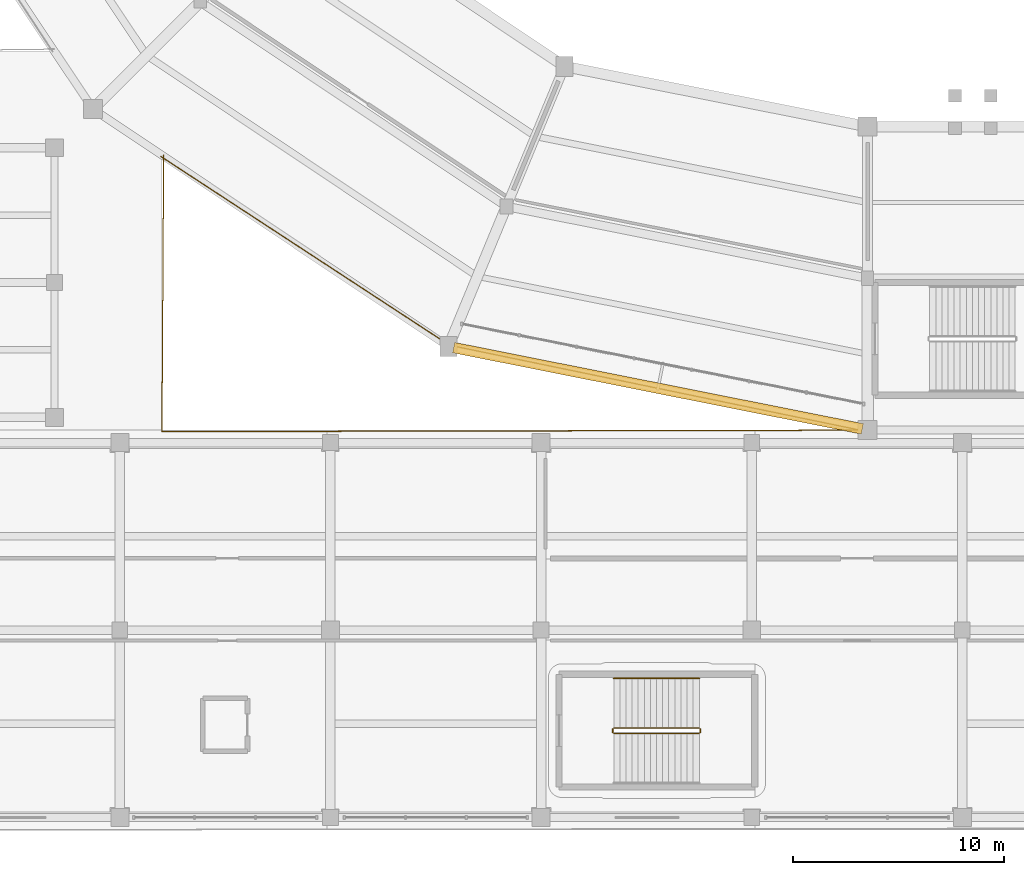
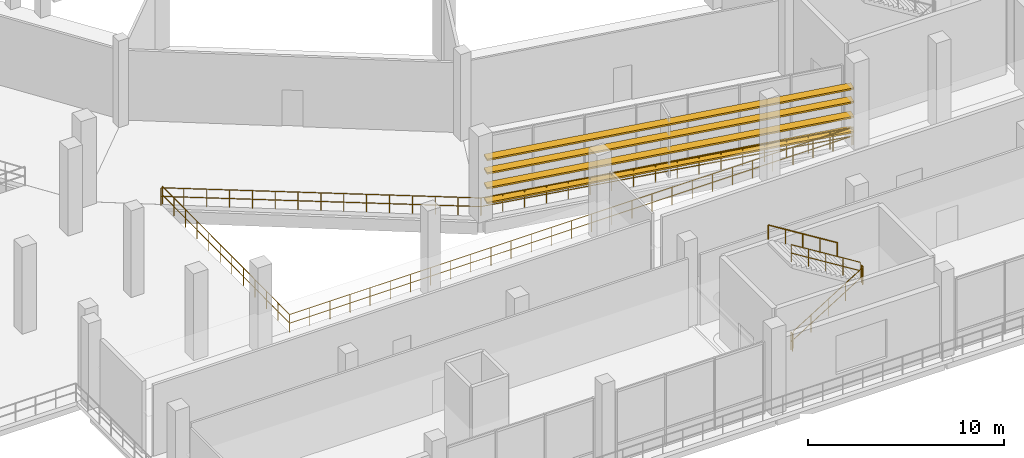
# One storey, part 92 of 114: 9 railings, 4 shading devices.
"""IFC4 building model written with IfcOpenShell, lengths in metres."""

from ifc_helpers import new_model, si_unit, direction, frame, origin, origin_2d, place, context, subcontext, project, spatial, rectangle, circle, extrude, material, layer, layer_set, type_object, element, save


model = new_model("IFC4")

# Units and contexts
model_context = context("Model", 3, precision=1e-05, world=origin(), true_north=direction((0.0, 1.0)))
body_context = subcontext(model_context, "Body", "Model", "MODEL_VIEW")
ifc_project = project(units=[si_unit("LENGTHUNIT", "METRE"), si_unit("AREAUNIT", "SQUARE_METRE"), si_unit("VOLUMEUNIT", "CUBIC_METRE"), si_unit("PLANEANGLEUNIT", "RADIAN"), si_unit("MASSUNIT", "GRAM", prefix="KILO")], contexts=[model_context])

# Site, building, storey
site_placement = place(None, origin())
site = spatial("IfcSite", under=ifc_project, at=site_placement, CompositionType="ELEMENT")
building_placement = place(site_placement, origin())
building = spatial("IfcBuilding", under=site, at=building_placement, Name="Candeia Ridge Stadium", CompositionType="ELEMENT")
storey_placement = place(building_placement, frame((0.0, 0.0, 5.39990234375)))
storey = spatial("IfcBuildingStorey", under=building, at=storey_placement, Name="L01", CompositionType="ELEMENT", Elevation=5.39990234375)

# Railings
ifc_material_1 = material(Name="Galvanized Powder-Coated Steel", Category="steel")
ifc_layer_1 = layer(ifc_material_1, 0.074951171875, Name="Galvanized Powder-Coated Steel", Category="steel")
ifc_layer_set_1 = layer_set([ifc_layer_1], Name="Galvanized Powder-Coated Steel")
railing_type_1 = type_object("IfcRailingType", Name="Spectator Bowl Front Guardrail 1120", PredefinedType="GUARDRAIL", material=ifc_layer_set_1)
railing_1_placement = place(storey_placement, frame((37.580078125, 32.0458984375, 0.0)))
element("IfcRailing", 1, at=railing_1_placement, inside=storey, type_object=railing_type_1, Name="Deck edge safety guardrail GR-DE-L01-0035", PredefinedType="GUARDRAIL", context=body_context, shape_type="SweptSolid", body=[
    extrude(circle(Radius=0.02392578125, at=origin_2d()), frame((0.0, 0.0, 1.09619140625), z_axis=(-0.006100623024, -0.999981391026, 0.0), x_axis=(0.999981391026, -0.006100623024, 0.0)), (0.0, 0.0, 1.0), 13.126220703125),
    extrude(circle(Radius=0.02392578125, at=origin_2d()), frame((0.0, 0.0, 0.56005859375), z_axis=(-0.006100623024, -0.999981391026, 0.0), x_axis=(0.999981391026, -0.006100623024, 0.0)), (0.0, 0.0, 1.0), 13.126220703125),
    extrude(circle(Radius=0.02099609375, at=origin_2d()), origin(), (0.0, 0.0, 1.0), 1.072021484375),
    extrude(circle(Radius=0.02099609375, at=origin_2d()), frame((-0.00732421875, -1.193359375, 0.0)), (0.0, 0.0, 1.0), 1.072021484375),
    extrude(circle(Radius=0.02099609375, at=origin_2d()), frame((-0.0146484375, -2.386474609375, 0.0)), (0.0, 0.0, 1.0), 1.072021484375),
    extrude(circle(Radius=0.02099609375, at=origin_2d()), frame((-0.021728515625, -3.579833984375, 0.0)), (0.0, 0.0, 1.0), 1.072021484375),
    extrude(circle(Radius=0.02099609375, at=origin_2d()), frame((-0.029052734375, -4.773193359375, 0.0)), (0.0, 0.0, 1.0), 1.072021484375),
    extrude(circle(Radius=0.02099609375, at=origin_2d()), frame((-0.036376953125, -5.96630859375, 0.0)), (0.0, 0.0, 1.0), 1.072021484375),
    extrude(circle(Radius=0.02099609375, at=origin_2d()), frame((-0.043701171875, -7.15966796875, 0.0)), (0.0, 0.0, 1.0), 1.072021484375),
    extrude(circle(Radius=0.02099609375, at=origin_2d()), frame((-0.051025390625, -8.352783203125, 0.0)), (0.0, 0.0, 1.0), 1.072021484375),
    extrude(circle(Radius=0.02099609375, at=origin_2d()), frame((-0.058349609375, -9.546142578125, 0.0)), (0.0, 0.0, 1.0), 1.072021484375),
    extrude(circle(Radius=0.02099609375, at=origin_2d()), frame((-0.0654296875, -10.739501953125, 0.0)), (0.0, 0.0, 1.0), 1.072021484375),
    extrude(circle(Radius=0.02099609375, at=origin_2d()), frame((-0.07275390625, -11.9326171875, 0.0)), (0.0, 0.0, 1.0), 1.072021484375),
    extrude(circle(Radius=0.02099609375, at=origin_2d()), frame((-0.080078125, -13.1259765625, 0.0)), (0.0, 0.0, 1.0), 1.072021484375),
])
railing_2_placement = place(storey_placement, frame((37.5, 18.919921875, 0.0)))
element("IfcRailing", 2, at=railing_2_placement, inside=storey, type_object=railing_type_1, Name="Deck edge safety guardrail GR-DE-L01-0036", PredefinedType="GUARDRAIL", context=body_context, shape_type="SweptSolid", body=[
    extrude(circle(Radius=0.02392578125, at=origin_2d()), frame((0.0, 0.0, 1.09619140625), z_axis=(0.999997640457, 0.002172344388, 0.0), x_axis=(-0.002172344388, 0.999997640457, 0.0)), (0.0, 0.0, 1.0), 33.26611328125),
    extrude(circle(Radius=0.02392578125, at=origin_2d()), frame((0.0, 0.0, 0.56005859375), z_axis=(0.999997640457, 0.002172344388, 0.0), x_axis=(-0.002172344388, 0.999997640457, 0.0)), (0.0, 0.0, 1.0), 33.26611328125),
    extrude(circle(Radius=0.02099609375, at=origin_2d()), origin(), (0.0, 0.0, 1.0), 1.072021484375),
    extrude(circle(Radius=0.02099609375, at=origin_2d()), frame((1.18798828125, 0.002685546875, 0.0)), (0.0, 0.0, 1.0), 1.072021484375),
    extrude(circle(Radius=0.02099609375, at=origin_2d()), frame((2.376220703125, 0.005126953125, 0.0)), (0.0, 0.0, 1.0), 1.072021484375),
    extrude(circle(Radius=0.02099609375, at=origin_2d()), frame((3.564208984375, 0.0078125, 0.0)), (0.0, 0.0, 1.0), 1.072021484375),
    extrude(circle(Radius=0.02099609375, at=origin_2d()), frame((4.752197265625, 0.01025390625, 0.0)), (0.0, 0.0, 1.0), 1.072021484375),
    extrude(circle(Radius=0.02099609375, at=origin_2d()), frame((5.9404296875, 0.012939453125, 0.0)), (0.0, 0.0, 1.0), 1.072021484375),
    extrude(circle(Radius=0.02099609375, at=origin_2d()), frame((7.12841796875, 0.015380859375, 0.0)), (0.0, 0.0, 1.0), 1.072021484375),
    extrude(circle(Radius=0.02099609375, at=origin_2d()), frame((8.31640625, 0.01806640625, 0.0)), (0.0, 0.0, 1.0), 1.072021484375),
    extrude(circle(Radius=0.02099609375, at=origin_2d()), frame((9.504638671875, 0.020751953125, 0.0)), (0.0, 0.0, 1.0), 1.072021484375),
    extrude(circle(Radius=0.02099609375, at=origin_2d()), frame((10.692626953125, 0.023193359375, 0.0)), (0.0, 0.0, 1.0), 1.072021484375),
    extrude(circle(Radius=0.02099609375, at=origin_2d()), frame((11.880859375, 0.02587890625, 0.0)), (0.0, 0.0, 1.0), 1.072021484375),
    extrude(circle(Radius=0.02099609375, at=origin_2d()), frame((13.06884765625, 0.0283203125, 0.0)), (0.0, 0.0, 1.0), 1.072021484375),
    extrude(circle(Radius=0.02099609375, at=origin_2d()), frame((14.2568359375, 0.031005859375, 0.0)), (0.0, 0.0, 1.0), 1.072021484375),
    extrude(circle(Radius=0.02099609375, at=origin_2d()), frame((15.445068359375, 0.033447265625, 0.0)), (0.0, 0.0, 1.0), 1.072021484375),
    extrude(circle(Radius=0.02099609375, at=origin_2d()), frame((16.633056640625, 0.0361328125, 0.0)), (0.0, 0.0, 1.0), 1.072021484375),
    extrude(circle(Radius=0.02099609375, at=origin_2d()), frame((17.821044921875, 0.038818359375, 0.0)), (0.0, 0.0, 1.0), 1.072021484375),
    extrude(circle(Radius=0.02099609375, at=origin_2d()), frame((19.00927734375, 0.041259765625, 0.0)), (0.0, 0.0, 1.0), 1.072021484375),
    extrude(circle(Radius=0.02099609375, at=origin_2d()), frame((20.197265625, 0.0439453125, 0.0)), (0.0, 0.0, 1.0), 1.072021484375),
    extrude(circle(Radius=0.02099609375, at=origin_2d()), frame((21.38525390625, 0.04638671875, 0.0)), (0.0, 0.0, 1.0), 1.072021484375),
    extrude(circle(Radius=0.02099609375, at=origin_2d()), frame((22.573486328125, 0.049072265625, 0.0)), (0.0, 0.0, 1.0), 1.072021484375),
    extrude(circle(Radius=0.02099609375, at=origin_2d()), frame((23.761474609375, 0.051513671875, 0.0)), (0.0, 0.0, 1.0), 1.072021484375),
    extrude(circle(Radius=0.02099609375, at=origin_2d()), frame((24.94970703125, 0.05419921875, 0.0)), (0.0, 0.0, 1.0), 1.072021484375),
    extrude(circle(Radius=0.02099609375, at=origin_2d()), frame((26.1376953125, 0.056884765625, 0.0)), (0.0, 0.0, 1.0), 1.072021484375),
    extrude(circle(Radius=0.02099609375, at=origin_2d()), frame((27.32568359375, 0.059326171875, 0.0)), (0.0, 0.0, 1.0), 1.072021484375),
    extrude(circle(Radius=0.02099609375, at=origin_2d()), frame((28.513916015625, 0.06201171875, 0.0)), (0.0, 0.0, 1.0), 1.072021484375),
    extrude(circle(Radius=0.02099609375, at=origin_2d()), frame((29.701904296875, 0.064453125, 0.0)), (0.0, 0.0, 1.0), 1.072021484375),
    extrude(circle(Radius=0.02099609375, at=origin_2d()), frame((30.889892578125, 0.067138671875, 0.0)), (0.0, 0.0, 1.0), 1.072021484375),
    extrude(circle(Radius=0.02099609375, at=origin_2d()), frame((32.078125, 0.069580078125, 0.0)), (0.0, 0.0, 1.0), 1.072021484375),
    extrude(circle(Radius=0.02099609375, at=origin_2d()), frame((33.26611328125, 0.072265625, 0.0)), (0.0, 0.0, 1.0), 1.072021484375),
])
railing_3_placement = place(storey_placement, frame((70.6767578125, 18.982666015625, 0.0)))
element("IfcRailing", 3, at=railing_3_placement, inside=storey, type_object=railing_type_1, Name="Deck edge safety guardrail GR-DE-L01-0037", PredefinedType="GUARDRAIL", context=body_context, shape_type="SweptSolid", body=[
    extrude(circle(Radius=0.02392578125, at=origin_2d()), frame((0.0, 0.0, 1.09619140625), z_axis=(-0.97924861021, 0.202662673924, 0.0), x_axis=(-0.202662673924, -0.97924861021, 0.0)), (0.0, 0.0, 1.0), 19.945556640625),
    extrude(circle(Radius=0.02392578125, at=origin_2d()), frame((0.0, 0.0, 0.56005859375), z_axis=(-0.97924861021, 0.202662673924, 0.0), x_axis=(-0.202662673924, -0.97924861021, 0.0)), (0.0, 0.0, 1.0), 19.945556640625),
    extrude(circle(Radius=0.02099609375, at=origin_2d()), origin(), (0.0, 0.0, 1.0), 1.072021484375),
    extrude(circle(Radius=0.02099609375, at=origin_2d()), frame((-1.14892578125, 0.23779296875, 0.0)), (0.0, 0.0, 1.0), 1.072021484375),
    extrude(circle(Radius=0.02099609375, at=origin_2d()), frame((-2.2978515625, 0.4755859375, 0.0)), (0.0, 0.0, 1.0), 1.072021484375),
    extrude(circle(Radius=0.02099609375, at=origin_2d()), frame((-3.44677734375, 0.71337890625, 0.0)), (0.0, 0.0, 1.0), 1.072021484375),
    extrude(circle(Radius=0.02099609375, at=origin_2d()), frame((-4.595703125, 0.951171875, 0.0)), (0.0, 0.0, 1.0), 1.072021484375),
    extrude(circle(Radius=0.02099609375, at=origin_2d()), frame((-5.74462890625, 1.18896484375, 0.0)), (0.0, 0.0, 1.0), 1.072021484375),
    extrude(circle(Radius=0.02099609375, at=origin_2d()), frame((-6.8935546875, 1.4267578125, 0.0)), (0.0, 0.0, 1.0), 1.072021484375),
    extrude(circle(Radius=0.02099609375, at=origin_2d()), frame((-8.04248046875, 1.66455078125, 0.0)), (0.0, 0.0, 1.0), 1.072021484375),
    extrude(circle(Radius=0.02099609375, at=origin_2d()), frame((-9.19140625, 1.90234375, 0.0)), (0.0, 0.0, 1.0), 1.072021484375),
    extrude(circle(Radius=0.02099609375, at=origin_2d()), frame((-10.34033203125, 2.139892578125, 0.0)), (0.0, 0.0, 1.0), 1.072021484375),
    extrude(circle(Radius=0.02099609375, at=origin_2d()), frame((-11.4892578125, 2.377685546875, 0.0)), (0.0, 0.0, 1.0), 1.072021484375),
    extrude(circle(Radius=0.02099609375, at=origin_2d()), frame((-12.63818359375, 2.615478515625, 0.0)), (0.0, 0.0, 1.0), 1.072021484375),
    extrude(circle(Radius=0.02099609375, at=origin_2d()), frame((-13.787109375, 2.853271484375, 0.0)), (0.0, 0.0, 1.0), 1.072021484375),
    extrude(circle(Radius=0.02099609375, at=origin_2d()), frame((-14.93603515625, 3.091064453125, 0.0)), (0.0, 0.0, 1.0), 1.072021484375),
    extrude(circle(Radius=0.02099609375, at=origin_2d()), frame((-16.0849609375, 3.328857421875, 0.0)), (0.0, 0.0, 1.0), 1.072021484375),
    extrude(circle(Radius=0.02099609375, at=origin_2d()), frame((-17.23388671875, 3.566650390625, 0.0)), (0.0, 0.0, 1.0), 1.072021484375),
    extrude(circle(Radius=0.02099609375, at=origin_2d()), frame((-18.3828125, 3.804443359375, 0.0)), (0.0, 0.0, 1.0), 1.072021484375),
    extrude(circle(Radius=0.02099609375, at=origin_2d()), frame((-19.53173828125, 4.042236328125, 0.0)), (0.0, 0.0, 1.0), 1.072021484375),
])
railing_4_placement = place(storey_placement, frame((51.14501953125, 23.02490234375, 0.0)))
element("IfcRailing", 4, at=railing_4_placement, inside=storey, type_object=railing_type_1, Name="Deck edge safety guardrail GR-DE-L01-0038", PredefinedType="GUARDRAIL", context=body_context, shape_type="SweptSolid", body=[
    extrude(circle(Radius=0.02392578125, at=origin_2d()), frame((0.0, 0.0, 1.09619140625), z_axis=(-0.836870214112, 0.547401356167, 0.0), x_axis=(-0.547401356167, -0.836870214112, 0.0)), (0.0, 0.0, 1.0), 16.35791015625),
    extrude(circle(Radius=0.02392578125, at=origin_2d()), frame((0.0, 0.0, 0.56005859375), z_axis=(-0.836870214112, 0.547401356167, 0.0), x_axis=(-0.547401356167, -0.836870214112, 0.0)), (0.0, 0.0, 1.0), 16.35791015625),
    extrude(circle(Radius=0.02099609375, at=origin_2d()), origin(), (0.0, 0.0, 1.0), 1.072021484375),
    extrude(circle(Radius=0.02099609375, at=origin_2d()), frame((-0.977783203125, 0.6396484375, 0.0)), (0.0, 0.0, 1.0), 1.072021484375),
    extrude(circle(Radius=0.02099609375, at=origin_2d()), frame((-1.95556640625, 1.279296875, 0.0)), (0.0, 0.0, 1.0), 1.072021484375),
    extrude(circle(Radius=0.02099609375, at=origin_2d()), frame((-2.933349609375, 1.918701171875, 0.0)), (0.0, 0.0, 1.0), 1.072021484375),
    extrude(circle(Radius=0.02099609375, at=origin_2d()), frame((-3.911376953125, 2.558349609375, 0.0)), (0.0, 0.0, 1.0), 1.072021484375),
    extrude(circle(Radius=0.02099609375, at=origin_2d()), frame((-4.88916015625, 3.197998046875, 0.0)), (0.0, 0.0, 1.0), 1.072021484375),
    extrude(circle(Radius=0.02099609375, at=origin_2d()), frame((-5.866943359375, 3.837646484375, 0.0)), (0.0, 0.0, 1.0), 1.072021484375),
    extrude(circle(Radius=0.02099609375, at=origin_2d()), frame((-6.8447265625, 4.47705078125, 0.0)), (0.0, 0.0, 1.0), 1.072021484375),
    extrude(circle(Radius=0.02099609375, at=origin_2d()), frame((-7.822509765625, 5.11669921875, 0.0)), (0.0, 0.0, 1.0), 1.072021484375),
    extrude(circle(Radius=0.02099609375, at=origin_2d()), frame((-8.80029296875, 5.75634765625, 0.0)), (0.0, 0.0, 1.0), 1.072021484375),
    extrude(circle(Radius=0.02099609375, at=origin_2d()), frame((-9.778076171875, 6.39599609375, 0.0)), (0.0, 0.0, 1.0), 1.072021484375),
    extrude(circle(Radius=0.02099609375, at=origin_2d()), frame((-10.756103515625, 7.03564453125, 0.0)), (0.0, 0.0, 1.0), 1.072021484375),
    extrude(circle(Radius=0.02099609375, at=origin_2d()), frame((-11.73388671875, 7.675048828125, 0.0)), (0.0, 0.0, 1.0), 1.072021484375),
    extrude(circle(Radius=0.02099609375, at=origin_2d()), frame((-12.711669921875, 8.314697265625, 0.0)), (0.0, 0.0, 1.0), 1.072021484375),
    extrude(circle(Radius=0.02099609375, at=origin_2d()), frame((-13.689453125, 8.954345703125, 0.0)), (0.0, 0.0, 1.0), 1.072021484375),
])
ifc_material_2 = material(Name="Brushed Stainless Steel", Category="steel")
ifc_layer_2 = layer(ifc_material_2, 0.048095703125, Name="Brushed Stainless Steel", Category="steel")
ifc_layer_set_2 = layer_set([ifc_layer_2], Name="Brushed Stainless Steel")
railing_type_2 = type_object("IfcRailingType", Name="Stair Wall & Flight Handrail 900", PredefinedType="HANDRAIL", material=ifc_layer_set_2)
railing_5_placement = place(storey_placement, frame((63.010009765625, 7.199951171875, 2.880126953125)))
element("IfcRailing", 5, at=railing_5_placement, inside=storey, type_object=railing_type_2, Name="L01 ST13 stair handrail 2", PredefinedType="HANDRAIL", context=body_context, shape_type="SweptSolid", body=[
    extrude(circle(Radius=0.02392578125, at=origin_2d()), frame((0.0, 0.0, 0.8759765625), z_axis=(-0.849641744969, 0.0, 0.527360318194), x_axis=(0.0, -1.0, 0.0)), (0.0, 0.0, 1.0), 4.778564453125),
    extrude(circle(Radius=0.02099609375, at=origin_2d()), origin(), (0.0, 0.0, 1.0), 0.851806640625),
    extrude(circle(Radius=0.02099609375, at=origin_2d()), frame((-1.01513671875, 0.0, 0.6298828125)), (0.0, 0.0, 1.0), 0.851806640625),
    extrude(circle(Radius=0.02099609375, at=origin_2d()), frame((-2.030029296875, 0.0, 1.260009765625)), (0.0, 0.0, 1.0), 0.851806640625),
    extrude(circle(Radius=0.02099609375, at=origin_2d()), frame((-3.044921875, 0.0, 1.89013671875)), (0.0, 0.0, 1.0), 0.851806640625),
    extrude(circle(Radius=0.02099609375, at=origin_2d()), frame((-4.06005859375, 0.0, 2.52001953125)), (0.0, 0.0, 1.0), 0.851806640625),
])
ifc_layer_3 = layer(ifc_material_1, 0.06005859375, Name="Galvanized Powder-Coated Steel", Category="steel")
ifc_layer_set_3 = layer_set([ifc_layer_3], Name="Galvanized Powder-Coated Steel")
railing_type_3 = type_object("IfcRailingType", Name="Stair Well Guardrail 1100", PredefinedType="GUARDRAIL", material=ifc_layer_set_3)
railing_6_placement = place(storey_placement, frame((58.949951171875, 4.60009765625, 0.18017578125)))
element("IfcRailing", 6, at=railing_6_placement, inside=storey, type_object=railing_type_3, Name="L01 ST13 stair guard 1", PredefinedType="GUARDRAIL", context=body_context, shape_type="SweptSolid", body=[
    extrude(circle(Radius=0.02392578125, at=origin_2d()), frame((0.0, 0.0, 1.076171875), z_axis=(0.849641744969, 0.0, 0.527360318194), x_axis=(0.0, 1.0, 0.0)), (0.0, 0.0, 1.0), 4.778564453125),
    extrude(circle(Radius=0.02392578125, at=origin_2d()), frame((0.0, 0.0, 0.550048828125), z_axis=(0.849641744969, 0.0, 0.527360318194), x_axis=(0.0, 1.0, 0.0)), (0.0, 0.0, 1.0), 4.778564453125),
    extrude(circle(Radius=0.02099609375, at=origin_2d()), origin(), (0.0, 0.0, 1.0), 1.052001953125),
    extrude(circle(Radius=0.02099609375, at=origin_2d()), frame((1.01513671875, 0.0, 0.6298828125)), (0.0, 0.0, 1.0), 1.052001953125),
    extrude(circle(Radius=0.02099609375, at=origin_2d()), frame((2.030029296875, 0.0, 1.260009765625)), (0.0, 0.0, 1.0), 1.052001953125),
    extrude(circle(Radius=0.02099609375, at=origin_2d()), frame((3.044921875, 0.0, 1.89013671875)), (0.0, 0.0, 1.0), 1.052001953125),
    extrude(circle(Radius=0.02099609375, at=origin_2d()), frame((4.06005859375, 0.0, 2.52001953125)), (0.0, 0.0, 1.0), 1.052001953125),
])
railing_7_placement = place(storey_placement, frame((63.06005859375, 4.64990234375, 2.7001953125)))
element("IfcRailing", 7, at=railing_7_placement, inside=storey, type_object=railing_type_3, Name="L01 ST13 stair guard 2", PredefinedType="GUARDRAIL", context=body_context, shape_type="SweptSolid", body=[
    extrude(circle(Radius=0.02392578125, at=origin_2d()), frame((0.0, 0.0, 1.076171875), z_axis=(0.0, 1.0, 0.0), x_axis=(-1.0, 0.0, 0.0)), (0.0, 0.0, 1.0), 0.150146484375),
    extrude(circle(Radius=0.02392578125, at=origin_2d()), frame((0.0, 0.0, 0.550048828125), z_axis=(0.0, 1.0, 0.0), x_axis=(-1.0, 0.0, 0.0)), (0.0, 0.0, 1.0), 0.150146484375),
    extrude(circle(Radius=0.02099609375, at=origin_2d()), origin(), (0.0, 0.0, 1.0), 1.052001953125),
    extrude(circle(Radius=0.02099609375, at=origin_2d()), frame((0.0, 0.150146484375, 0.0)), (0.0, 0.0, 1.0), 1.052001953125),
])
railing_8_placement = place(storey_placement, frame((63.010009765625, 4.85009765625, 2.880126953125)))
element("IfcRailing", 8, at=railing_8_placement, inside=storey, type_object=railing_type_3, Name="L01 ST13 stair guard 3", PredefinedType="GUARDRAIL", context=body_context, shape_type="SweptSolid", body=[
    extrude(circle(Radius=0.02392578125, at=origin_2d()), frame((0.0, 0.0, 1.076171875), z_axis=(-0.849641744969, 0.0, 0.527360318194), x_axis=(0.0, -1.0, 0.0)), (0.0, 0.0, 1.0), 4.778564453125),
    extrude(circle(Radius=0.02392578125, at=origin_2d()), frame((0.0, 0.0, 0.550048828125), z_axis=(-0.849641744969, 0.0, 0.527360318194), x_axis=(0.0, -1.0, 0.0)), (0.0, 0.0, 1.0), 4.778564453125),
    extrude(circle(Radius=0.02099609375, at=origin_2d()), origin(), (0.0, 0.0, 1.0), 1.052001953125),
    extrude(circle(Radius=0.02099609375, at=origin_2d()), frame((-1.01513671875, 0.0, 0.6298828125)), (0.0, 0.0, 1.0), 1.052001953125),
    extrude(circle(Radius=0.02099609375, at=origin_2d()), frame((-2.030029296875, 0.0, 1.260009765625)), (0.0, 0.0, 1.0), 1.052001953125),
    extrude(circle(Radius=0.02099609375, at=origin_2d()), frame((-3.044921875, 0.0, 1.89013671875)), (0.0, 0.0, 1.0), 1.052001953125),
    extrude(circle(Radius=0.02099609375, at=origin_2d()), frame((-4.06005859375, 0.0, 2.52001953125)), (0.0, 0.0, 1.0), 1.052001953125),
])
railing_9_placement = place(storey_placement, frame((58.89990234375, 4.64990234375, 0.0)))
element("IfcRailing", 9, at=railing_9_placement, inside=storey, type_object=railing_type_3, Name="L01 ST13 stair guard 4", PredefinedType="GUARDRAIL", context=body_context, shape_type="SweptSolid", body=[
    extrude(circle(Radius=0.02392578125, at=origin_2d()), frame((0.0, 0.0, 1.076171875), z_axis=(0.0, 1.0, 0.0), x_axis=(-1.0, 0.0, 0.0)), (0.0, 0.0, 1.0), 0.150146484375),
    extrude(circle(Radius=0.02392578125, at=origin_2d()), frame((0.0, 0.0, 0.550048828125), z_axis=(0.0, 1.0, 0.0), x_axis=(-1.0, 0.0, 0.0)), (0.0, 0.0, 1.0), 0.150146484375),
    extrude(circle(Radius=0.02099609375, at=origin_2d()), origin(), (0.0, 0.0, 1.0), 1.052001953125),
    extrude(circle(Radius=0.02099609375, at=origin_2d()), frame((0.0, 0.150146484375, 0.0)), (0.0, 0.0, 1.0), 1.052001953125),
])

# Shading devices
ifc_material_3 = material(Name="Aluminium Anodized Warm Bronze", Category="aluminium")
shading_device_type = type_object("IfcShadingDeviceType", Name="Weathered Bronze Horizontal Solar Rib 500x105", PredefinedType="JALOUSIE", material=ifc_material_3)
for number, where, z_axis, x_axis, name in (
    (10, (61.05029296875, 20.979248046875, 0.872802734375), (0.0, 0.0, 1.0), (0.980785282416, -0.195090311899, 0.0), "Weathered bronze horizontal solar rib L01 bay 18-1"),
    (11, (61.05029296875, 20.979248046875, 1.7978515625), (0.0, 0.0, 1.0), (0.980785282416, -0.195090311899, 0.0), "Weathered bronze horizontal solar rib L01 bay 18-2"),
    (12, (61.05029296875, 20.979248046875, 2.722900390625), (0.0, 0.0, 1.0), (0.980785282416, -0.195090311899, 0.0), "Weathered bronze horizontal solar rib L01 bay 18-3"),
    (13, (61.05029296875, 20.979248046875, 3.56396484375), (0.0, 0.0, 1.0), (0.980785282416, -0.195090311899, 0.0), "Weathered bronze horizontal solar rib L01 bay 18-4"),
):
    element("IfcShadingDevice", number, at=place(storey_placement, frame(where, z_axis=z_axis, x_axis=x_axis)), inside=storey, type_object=shading_device_type, Name=name, PredefinedType="JALOUSIE", context=body_context, shape_type="SweptSolid", body=[
        extrude(rectangle(XDim=19.789306640625, YDim=0.5, at=origin_2d()), origin(), (0.0, 0.0, 1.0), 0.10498046875),
    ])

save(model, "model.ifc")
